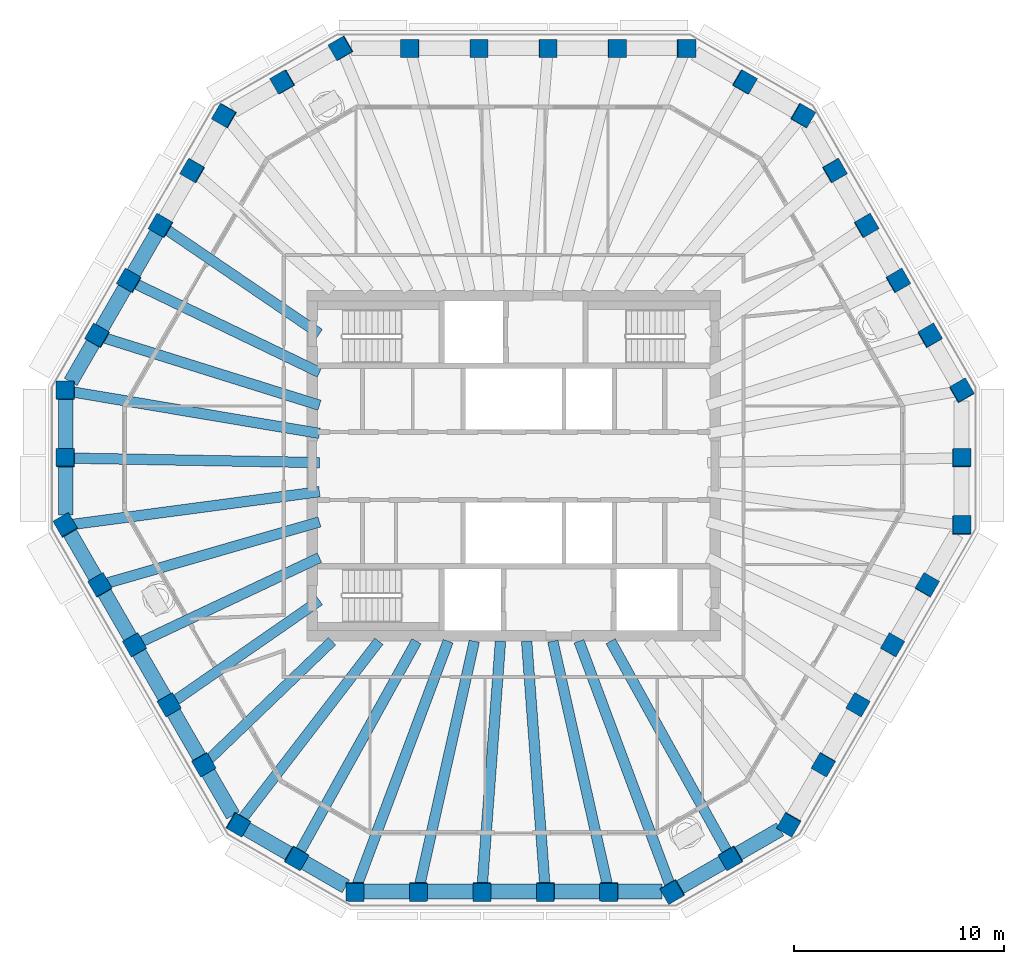
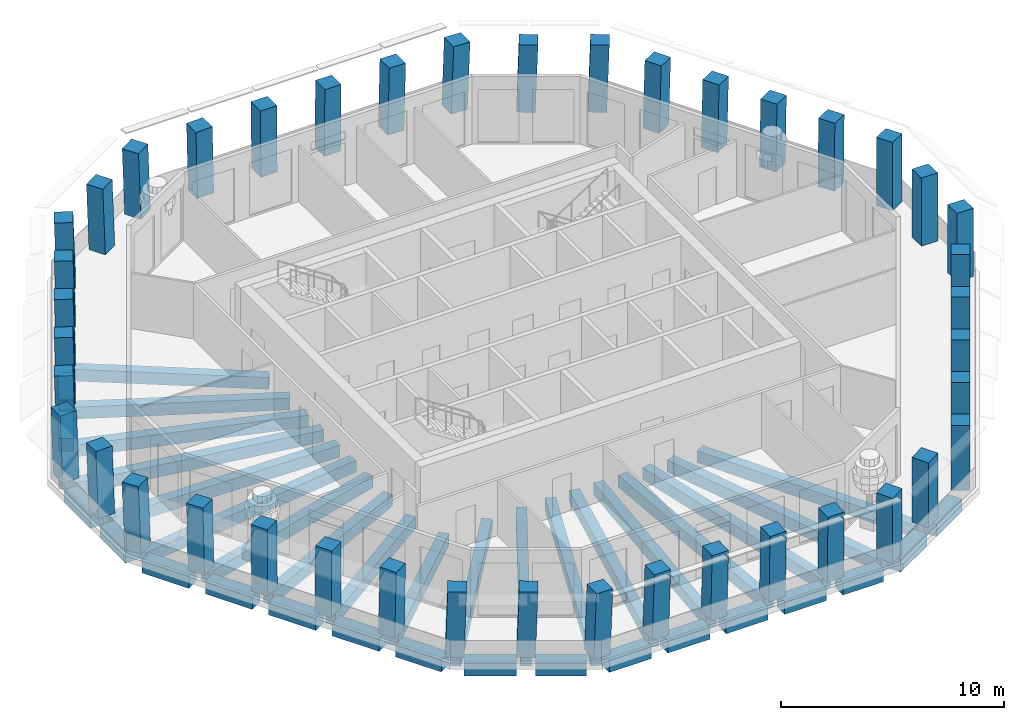
# One storey, part 1 of 11: 42 columns, 38 beams.
"""IFC4 building model written with IfcOpenShell, lengths in metres."""

from ifc_helpers import new_model, si_unit, direction, frame, origin, origin_2d, place, context, subcontext, project, spatial, rectangle, extrude, material, material_profile, profile_set, type_object, element, save


model = new_model("IFC4")

# Units and contexts
model_context = context("Model", 3, precision=1e-05, world=origin(), true_north=direction((0.0, 1.0)))
body_context = subcontext(model_context, "Body", "Model", "MODEL_VIEW")
ifc_project = project(units=[si_unit("LENGTHUNIT", "METRE"), si_unit("AREAUNIT", "SQUARE_METRE"), si_unit("VOLUMEUNIT", "CUBIC_METRE"), si_unit("PLANEANGLEUNIT", "RADIAN"), si_unit("MASSUNIT", "GRAM", prefix="KILO")], contexts=[model_context])

# Site, building, storey
site_placement = place(None, origin())
site = spatial("IfcSite", under=ifc_project, at=site_placement, CompositionType="ELEMENT")
building_placement = place(site_placement, origin())
building = spatial("IfcBuilding", under=site, at=building_placement, Name="Frailejon Research Tower", CompositionType="ELEMENT")
storey_placement = place(building_placement, frame((0.0, 0.0, 320.60009765625)))
storey = spatial("IfcBuildingStorey", under=building, at=storey_placement, Name="L71", CompositionType="ELEMENT", Elevation=320.60009765625)

# Columns
ifc_material_1 = material(Name="Concrete C50/60", Category="concrete")
ifc_material_profile_1 = material_profile(ifc_material_1, rectangle(XDim=0.85009765625, YDim=0.85009765625, at=origin_2d()), Name="Column 850")
ifc_profile_set_1 = profile_set([ifc_material_profile_1], Name="Concrete C50/60")
column_type = type_object("IfcColumnType", Name="Column 850", PredefinedType="COLUMN", material=ifc_profile_set_1)
for number, where, z_axis, x_axis, name in (
    (1, (21.34521484375, -2.8291015625, 0.0), (0.018115127782, 0.031484225777, 0.999340075086), (-0.001873288232, 0.999503400553, -0.031455414084), "Column C01"),
    (2, (21.34521484375, 0.377197265625, 0.0), (0.018115203871, 0.031350666477, 0.999344272561), (-0.000374749584, 0.999508428335, -0.031349023127), "Column C02"),
    (3, (21.34521484375, 3.583251953125, 0.0), (0.018115165867, 0.031417446337, 0.999342176049), (-0.501041092948, 0.865233799715, -0.018118913022), "Column C03"),
):
    element("IfcColumn", number, at=place(storey_placement, frame(where, z_axis=z_axis, x_axis=x_axis)), inside=storey, type_object=column_type, Name=name, PredefinedType="COLUMN", context=body_context, shape_type="SweptSolid", body=[
        extrude(rectangle(XDim=0.85009765625, YDim=0.85009765625, at=origin_2d()), origin(), (0.0, 0.0, 1.0), 3.65234375),
    ])
column_1_placement = place(storey_placement, frame((19.831298828125, 6.205322265625, 0.0), z_axis=(0.021793949015, 0.025136579231, 0.999446434868), x_axis=(-0.499665408411, 0.866150057728, -0.010888394553)))
element("IfcColumn", 4, at=column_1_placement, inside=storey, type_object=column_type, Name="Column C04", PredefinedType="COLUMN", context=body_context, shape_type="SweptSolid", body=[
    extrude(rectangle(XDim=0.85009765625, YDim=0.85009765625, at=origin_2d()), origin(), (0.0, 0.0, 1.0), 3.65185546875),
])
for number, where, z_axis, x_axis, name in (
    (5, (18.3173828125, 8.827392578125, 0.0), (0.025405336763, 0.018853434124, 0.999499433159), (-0.500491745159, 0.865733787207, -0.003608699989), "Column C05"),
    (6, (16.803466796875, 11.44970703125, 0.0), (0.029015583354, 0.012568962375, 0.99949993352), (-0.500120886693, 0.865947994233, 0.003629046282), "Column C06"),
):
    element("IfcColumn", number, at=place(storey_placement, frame(where, z_axis=z_axis, x_axis=x_axis)), inside=storey, type_object=column_type, Name=name, PredefinedType="COLUMN", context=body_context, shape_type="SweptSolid", body=[
        extrude(rectangle(XDim=0.85009765625, YDim=0.85009765625, at=origin_2d()), origin(), (0.0, 0.0, 1.0), 3.651611328125),
    ])
column_2_placement = place(storey_placement, frame((15.28955078125, 14.07177734375, 0.0), z_axis=(0.032690901241, 0.006284140525, 0.999445753682), x_axis=(-0.49982900143, 0.866055473539, 0.010903489444)))
element("IfcColumn", 7, at=column_2_placement, inside=storey, type_object=column_type, Name="Column C07", PredefinedType="COLUMN", context=body_context, shape_type="SweptSolid", body=[
    extrude(rectangle(XDim=0.85009765625, YDim=0.85009765625, at=origin_2d()), origin(), (0.0, 0.0, 1.0), 3.65185546875),
])
for number, where, z_axis, x_axis, name in (
    (8, (13.77587890625, 16.69384765625, 0.0), (0.036230378439, 0.0, 0.99934346432), (-0.865314641241, 0.500246354177, 0.031371273281), "Column C08"),
    (9, (10.999267578125, 18.297119140625, 0.0), (0.036230378439, 0.0, 0.99934346432), (-0.865314641241, 0.500246354177, 0.031371273281), "Column C09"),
    (10, (8.22265625, 19.89990234375, 0.0), (0.036230378439, 0.0, 0.99934346432), (-0.99934346432, 0.0, 0.036230378439), "Column C10"),
):
    element("IfcColumn", number, at=place(storey_placement, frame(where, z_axis=z_axis, x_axis=x_axis)), inside=storey, type_object=column_type, Name=name, PredefinedType="COLUMN", context=body_context, shape_type="SweptSolid", body=[
        extrude(rectangle(XDim=0.85009765625, YDim=0.85009765625, at=origin_2d()), origin(), (0.0, 0.0, 1.0), 3.65234375),
    ])
column_3_placement = place(storey_placement, frame((4.93359375, 19.89990234375, 0.0), z_axis=(0.021800837506, 0.0, 0.999762333499), x_axis=(-0.999762333499, 0.0, 0.021800837506)))
element("IfcColumn", 11, at=column_3_placement, inside=storey, type_object=column_type, Name="Column C11", PredefinedType="COLUMN", context=body_context, shape_type="SweptSolid", body=[
    extrude(rectangle(XDim=0.85009765625, YDim=0.85009765625, at=origin_2d()), origin(), (0.0, 0.0, 1.0), 3.65087890625),
])
for number, where, z_axis, x_axis, name in (
    (12, (1.64453125, 19.89990234375, 0.0), (0.00729077612, 0.0, 0.999973421939), (-0.999973421939, 0.0, 0.00729077612), "Column C12"),
    (13, (-1.64453125, 19.89990234375, 0.0), (-0.00729077612, 0.0, 0.999973421939), (-0.999973421939, 0.0, -0.00729077612), "Column C13"),
):
    element("IfcColumn", number, at=place(storey_placement, frame(where, z_axis=z_axis, x_axis=x_axis)), inside=storey, type_object=column_type, Name=name, PredefinedType="COLUMN", context=body_context, shape_type="SweptSolid", body=[
        extrude(rectangle(XDim=0.85009765625, YDim=0.85009765625, at=origin_2d()), origin(), (0.0, 0.0, 1.0), 3.64990234375),
    ])
column_4_placement = place(storey_placement, frame((-4.93359375, 19.89990234375, 0.0), z_axis=(-0.021800837506, 0.0, 0.999762333499), x_axis=(-0.999762333499, 0.0, -0.021800837506)))
element("IfcColumn", 14, at=column_4_placement, inside=storey, type_object=column_type, Name="Column C14", PredefinedType="COLUMN", context=body_context, shape_type="SweptSolid", body=[
    extrude(rectangle(XDim=0.85009765625, YDim=0.85009765625, at=origin_2d()), origin(), (0.0, 0.0, 1.0), 3.65087890625),
])
for number, where, z_axis, x_axis, name in (
    (15, (-8.22265625, 19.89990234375, 0.0), (-0.036230378439, 0.0, 0.99934346432), (-0.865314641241, -0.500246354177, -0.031371273281), "Column C15"),
    (16, (-10.999267578125, 18.297119140625, 0.0), (-0.036230378439, 0.0, 0.99934346432), (-0.865314641241, -0.500246354177, -0.031371273281), "Column C16"),
    (17, (-13.77587890625, 16.69384765625, 0.0), (-0.036230378439, 0.0, 0.99934346432), (-0.499425499283, -0.866167613071, -0.018106262248), "Column C17"),
):
    element("IfcColumn", number, at=place(storey_placement, frame(where, z_axis=z_axis, x_axis=x_axis)), inside=storey, type_object=column_type, Name=name, PredefinedType="COLUMN", context=body_context, shape_type="SweptSolid", body=[
        extrude(rectangle(XDim=0.85009765625, YDim=0.85009765625, at=origin_2d()), origin(), (0.0, 0.0, 1.0), 3.65234375),
    ])
column_5_placement = place(storey_placement, frame((-15.28955078125, 14.07177734375, 0.0), z_axis=(-0.032690901241, 0.006284140525, 0.999445753682), x_axis=(-0.49982900143, -0.866055473539, -0.010903489444)))
element("IfcColumn", 18, at=column_5_placement, inside=storey, type_object=column_type, Name="Column C18", PredefinedType="COLUMN", context=body_context, shape_type="SweptSolid", body=[
    extrude(rectangle(XDim=0.85009765625, YDim=0.85009765625, at=origin_2d()), origin(), (0.0, 0.0, 1.0), 3.65185546875),
])
for number, where, z_axis, x_axis, name in (
    (19, (-16.803466796875, 11.44970703125, 0.0), (-0.029015583354, 0.012568962375, 0.99949993352), (-0.500120886693, -0.865947994233, -0.003629046282), "Column C19"),
    (20, (-18.3173828125, 8.827392578125, 0.0), (-0.025405336763, 0.018853434124, 0.999499433159), (-0.500491745159, -0.865733787207, 0.003608699989), "Column C20"),
):
    element("IfcColumn", number, at=place(storey_placement, frame(where, z_axis=z_axis, x_axis=x_axis)), inside=storey, type_object=column_type, Name=name, PredefinedType="COLUMN", context=body_context, shape_type="SweptSolid", body=[
        extrude(rectangle(XDim=0.85009765625, YDim=0.85009765625, at=origin_2d()), origin(), (0.0, 0.0, 1.0), 3.651611328125),
    ])
column_6_placement = place(storey_placement, frame((-19.831298828125, 6.205322265625, 0.0), z_axis=(-0.021793949015, 0.025136579231, 0.999446434868), x_axis=(-0.499665408411, -0.866150057728, 0.010888394553)))
element("IfcColumn", 21, at=column_6_placement, inside=storey, type_object=column_type, Name="Column C21", PredefinedType="COLUMN", context=body_context, shape_type="SweptSolid", body=[
    extrude(rectangle(XDim=0.85009765625, YDim=0.85009765625, at=origin_2d()), origin(), (0.0, 0.0, 1.0), 3.65185546875),
])
for number, where, z_axis, x_axis, name in (
    (22, (-21.34521484375, 3.583251953125, 0.0), (-0.018115165867, 0.031417446337, 0.999342176049), (-0.001297375745, -0.999506085267, 0.031399081689), "Column C22"),
    (23, (-21.34521484375, 0.377197265625, 0.0), (-0.018115203871, 0.031350666477, 0.999344272561), (-0.000374749584, -0.999508428335, 0.031349023127), "Column C23"),
    (24, (-21.34521484375, -2.8291015625, 0.0), (-0.018115127782, 0.031484225777, 0.999340075086), (0.498542853646, -0.86610369402, 0.03632374269), "Column C24"),
):
    element("IfcColumn", number, at=place(storey_placement, frame(where, z_axis=z_axis, x_axis=x_axis)), inside=storey, type_object=column_type, Name=name, PredefinedType="COLUMN", context=body_context, shape_type="SweptSolid", body=[
        extrude(rectangle(XDim=0.85009765625, YDim=0.85009765625, at=origin_2d()), origin(), (0.0, 0.0, 1.0), 3.65234375),
    ])
column_7_placement = place(storey_placement, frame((-19.70068359375, -5.677490234375, 0.0), z_axis=(-0.010900409442, 0.01892525075, 0.999761479533), x_axis=(0.49889855577, -0.866385160892, 0.021839964222)))
element("IfcColumn", 25, at=column_7_placement, inside=storey, type_object=column_type, Name="Column C25", PredefinedType="COLUMN", context=body_context, shape_type="SweptSolid", body=[
    extrude(rectangle(XDim=0.85009765625, YDim=0.85009765625, at=origin_2d()), origin(), (0.0, 0.0, 1.0), 3.65087890625),
])
for number, where, z_axis, x_axis, name in (
    (26, (-18.05615234375, -8.52587890625, 0.0), (-0.003611943648, 0.006354345307, 0.999973287723), (0.495427452012, -0.86861856765, 0.007309153601), "Column C26"),
    (27, (-16.41162109375, -11.374267578125, 0.0), (0.003611945175, -0.00628746012, 0.999973710503), (0.499382072477, -0.866351526517, -0.007251081967), "Column C27"),
):
    element("IfcColumn", number, at=place(storey_placement, frame(where, z_axis=z_axis, x_axis=x_axis)), inside=storey, type_object=column_type, Name=name, PredefinedType="COLUMN", context=body_context, shape_type="SweptSolid", body=[
        extrude(rectangle(XDim=0.85009765625, YDim=0.85009765625, at=origin_2d()), origin(), (0.0, 0.0, 1.0), 3.64990234375),
    ])
column_8_placement = place(storey_placement, frame((-14.76708984375, -14.22265625, 0.0), z_axis=(0.010900423214, -0.018858400897, 0.999762742599), x_axis=(0.501085774026, -0.865123453003, -0.02178205986)))
element("IfcColumn", 28, at=column_8_placement, inside=storey, type_object=column_type, Name="Column C28", PredefinedType="COLUMN", context=body_context, shape_type="SweptSolid", body=[
    extrude(rectangle(XDim=0.85009765625, YDim=0.85009765625, at=origin_2d()), origin(), (0.0, 0.0, 1.0), 3.65087890625),
])
for number, where, z_axis, x_axis, name in (
    (29, (-13.12255859375, -17.071044921875, 0.0), (0.018115165867, -0.031417446337, 0.999342176049), (0.865691744667, -0.499591758091, -0.031398701613), "Column C29"),
    (30, (-10.345947265625, -18.674072265625, 0.0), (0.018115165867, -0.031417446337, 0.999342176049), (0.865818316477, -0.499372659284, -0.031394107935), "Column C30"),
    (31, (-7.569580078125, -20.277099609375, 0.0), (0.018115165867, -0.031417446337, 0.999342176049), (0.999835642796, -0.000157281862, -0.01812905563), "Column C31"),
):
    element("IfcColumn", number, at=place(storey_placement, frame(where, z_axis=z_axis, x_axis=x_axis)), inside=storey, type_object=column_type, Name=name, PredefinedType="COLUMN", context=body_context, shape_type="SweptSolid", body=[
        extrude(rectangle(XDim=0.85009765625, YDim=0.85009765625, at=origin_2d()), origin(), (0.0, 0.0, 1.0), 3.65234375),
    ])
column_9_placement = place(storey_placement, frame((-4.541748046875, -20.277099609375, 0.0), z_axis=(0.010896978963, -0.031420736888, 0.99944684358), x_axis=(0.99994040428, 0.001008258557, -0.0108706625)))
element("IfcColumn", 32, at=column_9_placement, inside=storey, type_object=column_type, Name="Column C32", PredefinedType="COLUMN", context=body_context, shape_type="SweptSolid", body=[
    extrude(rectangle(XDim=0.85009765625, YDim=0.85009765625, at=origin_2d()), origin(), (0.0, 0.0, 1.0), 3.65185546875),
])
for number, where, z_axis, x_axis, name in (
    (33, (-1.513916015625, -20.277099609375, 0.0), (0.003610232938, -0.031422397791, 0.999499674405), (0.999993379572, -0.000341341874, -0.00362274737), "Column C33"),
    (34, (1.513916015625, -20.277099609375, 0.0), (-0.003610232938, -0.031422397791, 0.999499674405), (0.999993379572, 0.000341341874, 0.00362274737), "Column C34"),
):
    element("IfcColumn", number, at=place(storey_placement, frame(where, z_axis=z_axis, x_axis=x_axis)), inside=storey, type_object=column_type, Name=name, PredefinedType="COLUMN", context=body_context, shape_type="SweptSolid", body=[
        extrude(rectangle(XDim=0.85009765625, YDim=0.85009765625, at=origin_2d()), origin(), (0.0, 0.0, 1.0), 3.651611328125),
    ])
column_10_placement = place(storey_placement, frame((4.541748046875, -20.277099609375, 0.0), z_axis=(-0.010896978963, -0.031420736888, 0.99944684358), x_axis=(0.99994040428, -0.001008258557, 0.0108706625)))
element("IfcColumn", 35, at=column_10_placement, inside=storey, type_object=column_type, Name="Column C35", PredefinedType="COLUMN", context=body_context, shape_type="SweptSolid", body=[
    extrude(rectangle(XDim=0.85009765625, YDim=0.85009765625, at=origin_2d()), origin(), (0.0, 0.0, 1.0), 3.65185546875),
])
for number, where, z_axis, x_axis, name in (
    (36, (7.569580078125, -20.277099609375, 0.0), (-0.018115165867, -0.031417446337, 0.999342176049), (0.865519692755, 0.499889378995, 0.031404939456), "Column C36"),
    (37, (10.345947265625, -18.674072265625, 0.0), (-0.018115165867, -0.031417446337, 0.999342176049), (0.865818316477, 0.499372659284, 0.031394107935), "Column C37"),
    (38, (13.12255859375, -17.071044921875, 0.0), (-0.018115165867, -0.031417446337, 0.999342176049), (0.499339843226, 0.865646871329, 0.036265894785), "Column C38"),
):
    element("IfcColumn", number, at=place(storey_placement, frame(where, z_axis=z_axis, x_axis=x_axis)), inside=storey, type_object=column_type, Name=name, PredefinedType="COLUMN", context=body_context, shape_type="SweptSolid", body=[
        extrude(rectangle(XDim=0.85009765625, YDim=0.85009765625, at=origin_2d()), origin(), (0.0, 0.0, 1.0), 3.65234375),
    ])
column_11_placement = place(storey_placement, frame((14.76708984375, -14.22265625, 0.0), z_axis=(-0.010900423214, -0.018858400897, 0.999762742599), x_axis=(0.501085774026, 0.865123453003, 0.02178205986)))
element("IfcColumn", 39, at=column_11_placement, inside=storey, type_object=column_type, Name="Column C39", PredefinedType="COLUMN", context=body_context, shape_type="SweptSolid", body=[
    extrude(rectangle(XDim=0.85009765625, YDim=0.85009765625, at=origin_2d()), origin(), (0.0, 0.0, 1.0), 3.65087890625),
])
for number, where, z_axis, x_axis, name in (
    (40, (16.41162109375, -11.374267578125, 0.0), (-0.003611945175, -0.00628746012, 0.999973710503), (0.499382072477, 0.866351526517, 0.007251081967), "Column C40"),
    (41, (18.05615234375, -8.52587890625, 0.0), (0.003611943648, 0.006354345307, 0.999973287723), (0.495427452012, 0.86861856765, -0.007309153601), "Column C41"),
):
    element("IfcColumn", number, at=place(storey_placement, frame(where, z_axis=z_axis, x_axis=x_axis)), inside=storey, type_object=column_type, Name=name, PredefinedType="COLUMN", context=body_context, shape_type="SweptSolid", body=[
        extrude(rectangle(XDim=0.85009765625, YDim=0.85009765625, at=origin_2d()), origin(), (0.0, 0.0, 1.0), 3.64990234375),
    ])
column_12_placement = place(storey_placement, frame((19.70068359375, -5.677490234375, 0.0), z_axis=(0.010900409442, 0.01892525075, 0.999761479533), x_axis=(0.49889855577, 0.866385160892, -0.021839964222)))
element("IfcColumn", 42, at=column_12_placement, inside=storey, type_object=column_type, Name="Column C42", PredefinedType="COLUMN", context=body_context, shape_type="SweptSolid", body=[
    extrude(rectangle(XDim=0.85009765625, YDim=0.85009765625, at=origin_2d()), origin(), (0.0, 0.0, 1.0), 3.65087890625),
])

# Beams
ifc_material_2 = material(Name="Concrete C60/75", Category="concrete")
ifc_material_profile_2 = material_profile(ifc_material_2, rectangle(XDim=0.5, YDim=0.64990234375, at=origin_2d()), Name="Girder 500x650")
ifc_profile_set_2 = profile_set([ifc_material_profile_2], Name="Concrete C60/75")
beam_type_1 = type_object("IfcBeamType", Name="Girder 500x650", PredefinedType="BEAM", material=ifc_profile_set_2)
beam_1_placement = place(storey_placement, frame((-16.5751953125, 11.294189453125, -0.625), z_axis=(0.826384640703, -0.563106051832, 0.0), x_axis=(0.563106051832, 0.826384640703, 0.0)))
element("IfcBeam", 43, at=beam_1_placement, inside=storey, type_object=beam_type_1, Name="Girder 500x650", PredefinedType="BEAM", context=body_context, shape_type="SweptSolid", body=[
    extrude(rectangle(XDim=0.5, YDim=0.64990234375, at=origin_2d()), origin(), (0.0, 0.0, 1.0), 8.8642578125),
])
beam_2_placement = place(storey_placement, frame((-18.068603515625, 8.70751953125, -0.625), z_axis=(0.900851421356, -0.434127534995, 0.0), x_axis=(0.434127534995, 0.900851421356, 0.0)))
element("IfcBeam", 44, at=beam_2_placement, inside=storey, type_object=beam_type_1, Name="Girder 500x650", PredefinedType="BEAM", context=body_context, shape_type="SweptSolid", body=[
    extrude(rectangle(XDim=0.5, YDim=0.64990234375, at=origin_2d()), origin(), (0.0, 0.0, 1.0), 9.789306640625),
])
beam_3_placement = place(storey_placement, frame((-19.558837890625, 6.1201171875, -0.625), z_axis=(0.954366094608, -0.298639176034, 0.0), x_axis=(0.298639176034, 0.954366094608, 0.0)))
element("IfcBeam", 45, at=beam_3_placement, inside=storey, type_object=beam_type_1, Name="Girder 500x650", PredefinedType="BEAM", context=body_context, shape_type="SweptSolid", body=[
    extrude(rectangle(XDim=0.5, YDim=0.64990234375, at=origin_2d()), origin(), (0.0, 0.0, 1.0), 10.8017578125),
])
beam_4_placement = place(storey_placement, frame((-21.068115234375, 3.53662109375, -0.625), z_axis=(0.986201081976, -0.16555188283, 0.0), x_axis=(0.16555188283, 0.986201081976, 0.0)))
element("IfcBeam", 46, at=beam_4_placement, inside=storey, type_object=beam_type_1, Name="Girder 500x650", PredefinedType="BEAM", context=body_context, shape_type="SweptSolid", body=[
    extrude(rectangle(XDim=0.5, YDim=0.64990234375, at=origin_2d()), origin(), (0.0, 0.0, 1.0), 11.9833984375),
])
beam_5_placement = place(storey_placement, frame((-21.0703125, 0.372314453125, -0.625), z_axis=(0.999843743562, -0.01767734312, 0.0), x_axis=(0.01767734312, 0.999843743562, 0.0)))
element("IfcBeam", 47, at=beam_5_placement, inside=storey, type_object=beam_type_1, Name="Girder 500x650", PredefinedType="BEAM", context=body_context, shape_type="SweptSolid", body=[
    extrude(rectangle(XDim=0.5, YDim=0.64990234375, at=origin_2d()), origin(), (0.0, 0.0, 1.0), 11.822265625),
])
beam_6_placement = place(storey_placement, frame((-21.0380859375, -2.788330078125, -0.625), z_axis=(0.991332129761, 0.131379635041, 0.0), x_axis=(-0.131379635041, 0.991332129761, 0.0)))
element("IfcBeam", 48, at=beam_6_placement, inside=storey, type_object=beam_type_1, Name="Girder 500x650", PredefinedType="BEAM", context=body_context, shape_type="SweptSolid", body=[
    extrude(rectangle(XDim=0.5, YDim=0.64990234375, at=origin_2d()), origin(), (0.0, 0.0, 1.0), 11.89111328125),
])
beam_7_placement = place(storey_placement, frame((-19.424072265625, -5.59765625, -0.625), z_axis=(0.960897596107, 0.276903972156, 0.0), x_axis=(-0.276903972156, 0.960897596107, 0.0)))
element("IfcBeam", 49, at=beam_7_placement, inside=storey, type_object=beam_type_1, Name="Girder 500x650", PredefinedType="BEAM", context=body_context, shape_type="SweptSolid", body=[
    extrude(rectangle(XDim=0.5, YDim=0.64990234375, at=origin_2d()), origin(), (0.0, 0.0, 1.0), 10.588134765625),
])
beam_8_placement = place(storey_placement, frame((-17.80615234375, -8.40771484375, -0.625), z_axis=(0.9042635903, 0.4269746588, 0.0), x_axis=(-0.4269746588, 0.9042635903, 0.0)))
element("IfcBeam", 50, at=beam_8_placement, inside=storey, type_object=beam_type_1, Name="Girder 500x650", PredefinedType="BEAM", context=body_context, shape_type="SweptSolid", body=[
    extrude(rectangle(XDim=0.5, YDim=0.64990234375, at=origin_2d()), origin(), (0.0, 0.0, 1.0), 9.4619140625),
])
beam_9_placement = place(storey_placement, frame((-16.184326171875, -11.216796875, -0.625), z_axis=(0.821902482016, 0.569628220909, 0.0), x_axis=(-0.569628220909, 0.821902482016, 0.0)))
element("IfcBeam", 51, at=beam_9_placement, inside=storey, type_object=beam_type_1, Name="Girder 500x650", PredefinedType="BEAM", context=body_context, shape_type="SweptSolid", body=[
    extrude(rectangle(XDim=0.5, YDim=0.64990234375, at=origin_2d()), origin(), (0.0, 0.0, 1.0), 8.43701171875),
])
beam_10_placement = place(storey_placement, frame((-14.5595703125, -14.0234375, -0.625), z_axis=(0.721383747776, 0.692535550311, 0.0), x_axis=(-0.692535550311, 0.721383747776, 0.0)))
element("IfcBeam", 52, at=beam_10_placement, inside=storey, type_object=beam_type_1, Name="Girder 500x650", PredefinedType="BEAM", context=body_context, shape_type="SweptSolid", body=[
    extrude(rectangle(XDim=0.5, YDim=0.64990234375, at=origin_2d()), origin(), (0.0, 0.0, 1.0), 8.192138671875),
])
beam_11_placement = place(storey_placement, frame((-12.95263671875, -16.85009765625, -0.625), z_axis=(0.609445505539, 0.792827961022, 0.0), x_axis=(-0.792827961022, 0.609445505539, 0.0)))
element("IfcBeam", 53, at=beam_11_placement, inside=storey, type_object=beam_type_1, Name="Girder 500x650", PredefinedType="BEAM", context=body_context, shape_type="SweptSolid", body=[
    extrude(rectangle(XDim=0.5, YDim=0.64990234375, at=origin_2d()), origin(), (0.0, 0.0, 1.0), 10.72119140625),
])
beam_12_placement = place(storey_placement, frame((-10.212646484375, -18.43359375, -0.625), z_axis=(0.484614023063, 0.874728099841, 0.0), x_axis=(-0.874728099841, 0.484614023063, 0.0)))
element("IfcBeam", 54, at=beam_12_placement, inside=storey, type_object=beam_type_1, Name="Girder 500x650", PredefinedType="BEAM", context=body_context, shape_type="SweptSolid", body=[
    extrude(rectangle(XDim=0.5, YDim=0.64990234375, at=origin_2d()), origin(), (0.0, 0.0, 1.0), 11.527587890625),
])
beam_13_placement = place(storey_placement, frame((-7.46337890625, -19.99267578125, -0.625), z_axis=(0.349727957149, 0.93685129876, 0.0), x_axis=(-0.93685129876, 0.349727957149, 0.0)))
element("IfcBeam", 55, at=beam_13_placement, inside=storey, type_object=beam_type_1, Name="Girder 500x650", PredefinedType="BEAM", context=body_context, shape_type="SweptSolid", body=[
    extrude(rectangle(XDim=0.5, YDim=0.64990234375, at=origin_2d()), origin(), (0.0, 0.0, 1.0), 12.42724609375),
])
beam_14_placement = place(storey_placement, frame((-4.479248046875, -19.99853515625, -0.625), z_axis=(0.218573793876, 0.975820422327, 0.0), x_axis=(-0.975820422327, 0.218573793876, 0.0)))
element("IfcBeam", 56, at=beam_14_placement, inside=storey, type_object=beam_type_1, Name="Girder 500x650", PredefinedType="BEAM", context=body_context, shape_type="SweptSolid", body=[
    extrude(rectangle(XDim=0.5, YDim=0.64990234375, at=origin_2d()), origin(), (0.0, 0.0, 1.0), 11.93701171875),
])
for number, where, z_axis, x_axis, name in (
    (57, (-1.493408203125, -20.001708984375, -0.625), (0.074470477768, 0.997223218713, 0.0), (-0.997223218713, 0.074470477768, 0.0), "Girder 500x650"),
    (58, (1.493408203125, -20.001708984375, -0.625), (-0.074470477768, 0.997223218713, 0.0), (-0.997223218713, -0.074470477768, 0.0), "Girder 500x650"),
):
    element("IfcBeam", number, at=place(storey_placement, frame(where, z_axis=z_axis, x_axis=x_axis)), inside=storey, type_object=beam_type_1, Name=name, PredefinedType="BEAM", context=body_context, shape_type="SweptSolid", body=[
        extrude(rectangle(XDim=0.5, YDim=0.64990234375, at=origin_2d()), origin(), (0.0, 0.0, 1.0), 11.68408203125),
    ])
beam_15_placement = place(storey_placement, frame((4.479248046875, -19.99853515625, -0.625), z_axis=(-0.218573793876, 0.975820422327, 0.0), x_axis=(-0.975820422327, -0.218573793876, 0.0)))
element("IfcBeam", 59, at=beam_15_placement, inside=storey, type_object=beam_type_1, Name="Girder 500x650", PredefinedType="BEAM", context=body_context, shape_type="SweptSolid", body=[
    extrude(rectangle(XDim=0.5, YDim=0.64990234375, at=origin_2d()), origin(), (0.0, 0.0, 1.0), 11.93701171875),
])
beam_16_placement = place(storey_placement, frame((7.47119140625, -20.013916015625, -0.625), z_axis=(-0.349719743457, 0.936854364902, 0.0), x_axis=(-0.936854364902, -0.349719743457, 0.0)))
element("IfcBeam", 60, at=beam_16_placement, inside=storey, type_object=beam_type_1, Name="Girder 500x650", PredefinedType="BEAM", context=body_context, shape_type="SweptSolid", body=[
    extrude(rectangle(XDim=0.5, YDim=0.64990234375, at=origin_2d()), origin(), (0.0, 0.0, 1.0), 12.449951171875),
])
beam_17_placement = place(storey_placement, frame((10.212646484375, -18.43359375, -0.625), z_axis=(-0.484614023063, 0.874728099841, 0.0), x_axis=(-0.874728099841, -0.484614023063, 0.0)))
element("IfcBeam", 61, at=beam_17_placement, inside=storey, type_object=beam_type_1, Name="Girder 500x650", PredefinedType="BEAM", context=body_context, shape_type="SweptSolid", body=[
    extrude(rectangle(XDim=0.5, YDim=0.64990234375, at=origin_2d()), origin(), (0.0, 0.0, 1.0), 11.527587890625),
])
ifc_material_3 = material(Name="Concrete C60/75", Category="concrete")
ifc_material_profile_3 = material_profile(ifc_material_3, rectangle(XDim=0.699951171875, YDim=0.699951171875, at=origin_2d()), Name="Spandrel 700x700")
ifc_profile_set_3 = profile_set([ifc_material_profile_3], Name="Concrete C60/75")
beam_type_2 = type_object("IfcBeamType", Name="Spandrel 700x700", PredefinedType="BEAM", material=ifc_profile_set_3)
beam_18_placement = place(storey_placement, frame((-17.01611328125, 11.08154296875, -0.7001953125), z_axis=(-0.499997407846, -0.86602690036, 0.0), x_axis=(0.86602690036, -0.499997407846, 0.0)))
element("IfcBeam", 62, at=beam_18_placement, inside=storey, type_object=beam_type_2, Name="Spandrel 700x700", PredefinedType="BEAM", context=body_context, shape_type="SweptSolid", body=[
    extrude(rectangle(XDim=0.699951171875, YDim=0.699951171875, at=origin_2d()), origin(), (0.0, 0.0, 1.0), 2.177734375),
])
beam_19_placement = place(storey_placement, frame((-18.52978515625, 8.45947265625, -0.7001953125), z_axis=(-0.500081481348, -0.865978355395, 0.0), x_axis=(0.865978355395, -0.500081481348, 0.0)))
element("IfcBeam", 63, at=beam_19_placement, inside=storey, type_object=beam_type_2, Name="Spandrel 700x700", PredefinedType="BEAM", context=body_context, shape_type="SweptSolid", body=[
    extrude(rectangle(XDim=0.699951171875, YDim=0.699951171875, at=origin_2d()), origin(), (0.0, 0.0, 1.0), 2.177978515625),
])
beam_20_placement = place(storey_placement, frame((-20.043701171875, 5.837158203125, -0.7001953125), z_axis=(-0.500092692325, -0.865971881231, 0.0), x_axis=(0.865971881231, -0.500092692325, 0.0)))
element("IfcBeam", 64, at=beam_20_placement, inside=storey, type_object=beam_type_2, Name="Spandrel 700x700", PredefinedType="BEAM", context=body_context, shape_type="SweptSolid", body=[
    extrude(rectangle(XDim=0.699951171875, YDim=0.699951171875, at=origin_2d()), origin(), (0.0, 0.0, 1.0), 2.11181640625),
])
beam_21_placement = place(storey_placement, frame((-21.34521484375, 3.158203125, -0.7001953125), z_axis=(0.0, -1.0, 0.0), x_axis=(1.0, 0.0, 0.0)))
element("IfcBeam", 65, at=beam_21_placement, inside=storey, type_object=beam_type_2, Name="Spandrel 700x700", PredefinedType="BEAM", context=body_context, shape_type="SweptSolid", body=[
    extrude(rectangle(XDim=0.699951171875, YDim=0.699951171875, at=origin_2d()), origin(), (0.0, 0.0, 1.0), 2.356201171875),
])
beam_22_placement = place(storey_placement, frame((-21.34521484375, -0.0478515625, -0.7001953125), z_axis=(0.0, -1.0, 0.0), x_axis=(1.0, 0.0, 0.0)))
element("IfcBeam", 66, at=beam_22_placement, inside=storey, type_object=beam_type_2, Name="Spandrel 700x700", PredefinedType="BEAM", context=body_context, shape_type="SweptSolid", body=[
    extrude(rectangle(XDim=0.699951171875, YDim=0.699951171875, at=origin_2d()), origin(), (0.0, 0.0, 1.0), 2.29052734375),
])
beam_23_placement = place(storey_placement, frame((-21.1328125, -3.197021484375, -0.7001953125), z_axis=(0.50005746179, -0.865992225662, 0.0), x_axis=(0.865992225662, 0.50005746179, 0.0)))
element("IfcBeam", 67, at=beam_23_placement, inside=storey, type_object=beam_type_2, Name="Spandrel 700x700", PredefinedType="BEAM", context=body_context, shape_type="SweptSolid", body=[
    extrude(rectangle(XDim=0.699951171875, YDim=0.699951171875, at=origin_2d()), origin(), (0.0, 0.0, 1.0), 2.439208984375),
])
beam_24_placement = place(storey_placement, frame((-19.48828125, -6.04541015625, -0.7001953125), z_axis=(0.499982393232, -0.866035568818, 0.0), x_axis=(0.866035568818, 0.499982393232, 0.0)))
element("IfcBeam", 68, at=beam_24_placement, inside=storey, type_object=beam_type_2, Name="Spandrel 700x700", PredefinedType="BEAM", context=body_context, shape_type="SweptSolid", body=[
    extrude(rectangle(XDim=0.699951171875, YDim=0.699951171875, at=origin_2d()), origin(), (0.0, 0.0, 1.0), 2.43896484375),
])
for number, where, z_axis, x_axis, name in (
    (69, (-17.84375, -8.893798828125, -0.7001953125), (0.50005746179, -0.865992225662, 0.0), (0.865992225662, 0.50005746179, 0.0), "Spandrel 700x700"),
    (70, (-16.19921875, -11.7421875, -0.7001953125), (0.50005746179, -0.865992225662, 0.0), (0.865992225662, 0.50005746179, 0.0), "Spandrel 700x700"),
):
    element("IfcBeam", number, at=place(storey_placement, frame(where, z_axis=z_axis, x_axis=x_axis)), inside=storey, type_object=beam_type_2, Name=name, PredefinedType="BEAM", context=body_context, shape_type="SweptSolid", body=[
        extrude(rectangle(XDim=0.699951171875, YDim=0.699951171875, at=origin_2d()), origin(), (0.0, 0.0, 1.0), 2.439208984375),
    ])
beam_25_placement = place(storey_placement, frame((-14.5546875, -14.5908203125, -0.7001953125), z_axis=(0.500066771004, -0.865986850095, 0.0), x_axis=(0.865986850095, 0.500066771004, 0.0)))
element("IfcBeam", 71, at=beam_25_placement, inside=storey, type_object=beam_type_2, Name="Spandrel 700x700", PredefinedType="BEAM", context=body_context, shape_type="SweptSolid", body=[
    extrude(rectangle(XDim=0.699951171875, YDim=0.699951171875, at=origin_2d()), origin(), (0.0, 0.0, 1.0), 2.373291015625),
])
beam_26_placement = place(storey_placement, frame((-12.75439453125, -17.283447265625, -0.7001953125), z_axis=(0.86597676952, -0.500084227558, 0.0), x_axis=(0.500084227558, 0.86597676952, 0.0)))
element("IfcBeam", 72, at=beam_26_placement, inside=storey, type_object=beam_type_2, Name="Spandrel 700x700", PredefinedType="BEAM", context=body_context, shape_type="SweptSolid", body=[
    extrude(rectangle(XDim=0.699951171875, YDim=0.699951171875, at=origin_2d()), origin(), (0.0, 0.0, 1.0), 2.35595703125),
])
beam_27_placement = place(storey_placement, frame((-9.977783203125, -18.88671875, -0.7001953125), z_axis=(0.866043571379, -0.499968531483, 0.0), x_axis=(0.499968531483, 0.866043571379, 0.0)))
element("IfcBeam", 73, at=beam_27_placement, inside=storey, type_object=beam_type_2, Name="Spandrel 700x700", PredefinedType="BEAM", context=body_context, shape_type="SweptSolid", body=[
    extrude(rectangle(XDim=0.699951171875, YDim=0.699951171875, at=origin_2d()), origin(), (0.0, 0.0, 1.0), 2.290283203125),
])
for number, where, z_axis, x_axis, name in (
    (74, (-7.14453125, -20.277099609375, -0.7001953125), (1.0, 0.0, 0.0), (0.0, 1.0, 0.0), "Spandrel 700x700"),
    (75, (-4.11669921875, -20.277099609375, -0.7001953125), (1.0, 0.0, 0.0), (0.0, 1.0, 0.0), "Spandrel 700x700"),
    (76, (-1.0888671875, -20.277099609375, -0.7001953125), (1.0, 0.0, 0.0), (0.0, 1.0, 0.0), "Spandrel 700x700"),
    (77, (1.93896484375, -20.277099609375, -0.7001953125), (1.0, 0.0, 0.0), (0.0, 1.0, 0.0), "Spandrel 700x700"),
):
    element("IfcBeam", number, at=place(storey_placement, frame(where, z_axis=z_axis, x_axis=x_axis)), inside=storey, type_object=beam_type_2, Name=name, PredefinedType="BEAM", context=body_context, shape_type="SweptSolid", body=[
        extrude(rectangle(XDim=0.699951171875, YDim=0.699951171875, at=origin_2d()), origin(), (0.0, 0.0, 1.0), 2.177734375),
    ])
beam_28_placement = place(storey_placement, frame((4.966796875, -20.277099609375, -0.7001953125), z_axis=(1.0, 0.0, 0.0), x_axis=(0.0, 1.0, 0.0)))
element("IfcBeam", 78, at=beam_28_placement, inside=storey, type_object=beam_type_2, Name="Spandrel 700x700", PredefinedType="BEAM", context=body_context, shape_type="SweptSolid", body=[
    extrude(rectangle(XDim=0.699951171875, YDim=0.699951171875, at=origin_2d()), origin(), (0.0, 0.0, 1.0), 2.112060546875),
])
beam_29_placement = place(storey_placement, frame((7.9375, -20.064697265625, -0.7001953125), z_axis=(0.866021643438, 0.500006513054, 0.0), x_axis=(-0.500006513054, 0.866021643438, 0.0)))
element("IfcBeam", 79, at=beam_29_placement, inside=storey, type_object=beam_type_2, Name="Spandrel 700x700", PredefinedType="BEAM", context=body_context, shape_type="SweptSolid", body=[
    extrude(rectangle(XDim=0.699951171875, YDim=0.699951171875, at=origin_2d()), origin(), (0.0, 0.0, 1.0), 2.35595703125),
])
beam_30_placement = place(storey_placement, frame((10.714111328125, -18.461669921875, -0.7001953125), z_axis=(0.86599741159, 0.500048480769, 0.0), x_axis=(-0.500048480769, 0.86599741159, 0.0)))
element("IfcBeam", 80, at=beam_30_placement, inside=storey, type_object=beam_type_2, Name="Spandrel 700x700", PredefinedType="BEAM", context=body_context, shape_type="SweptSolid", body=[
    extrude(rectangle(XDim=0.699951171875, YDim=0.699951171875, at=origin_2d()), origin(), (0.0, 0.0, 1.0), 2.290283203125),
])

save(model, "model.ifc")
